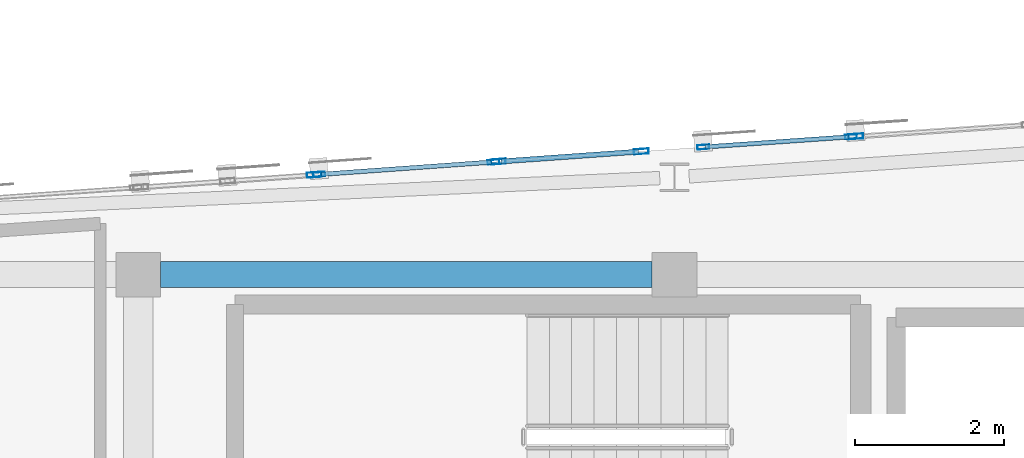
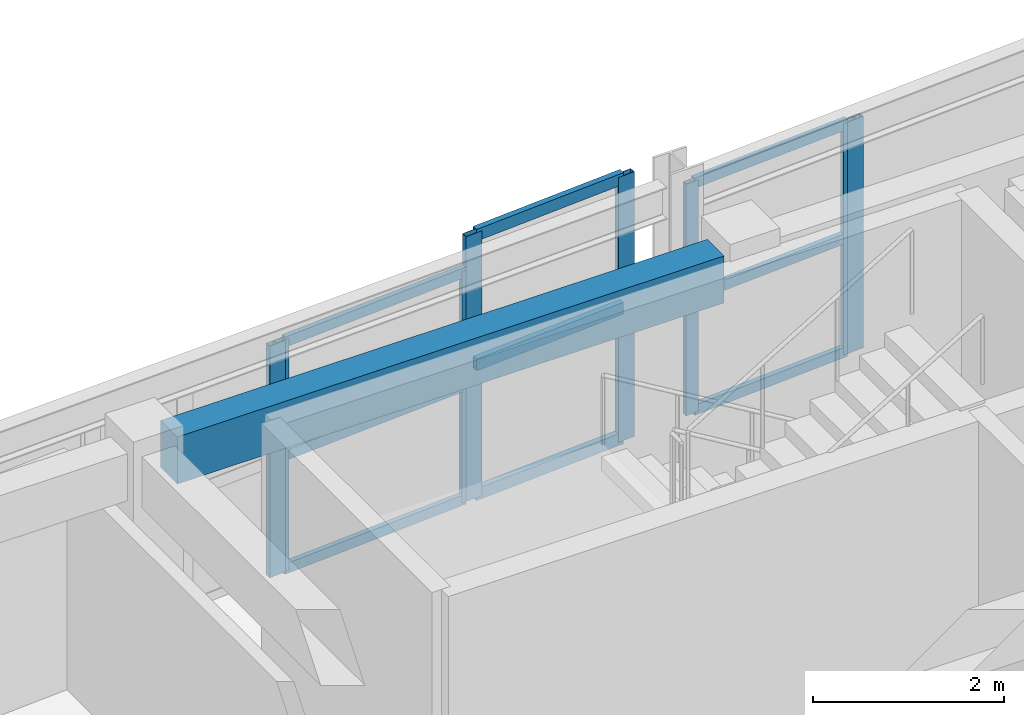
# One storey, part 8 of 41: 17 members, 1 beam, 5 elements without a shape of their own.
"""IFC4 building model written with IfcOpenShell, lengths in metres."""

from ifc_helpers import new_model, si_unit, direction, frame, origin, origin_2d, place, context, subcontext, project, spatial, rectangle, hollow_rectangle, extrude, material, layer, layer_set, material_profile, profile_set, type_object, element, aggregate, save


model = new_model("IFC4")

# Units and contexts
model_context = context("Model", 3, precision=1e-05, world=origin(), true_north=direction((0.0, 1.0)))
body_context = subcontext(model_context, "Body", "Model", "MODEL_VIEW")
ifc_project = project(units=[si_unit("LENGTHUNIT", "METRE"), si_unit("AREAUNIT", "SQUARE_METRE"), si_unit("VOLUMEUNIT", "CUBIC_METRE"), si_unit("PLANEANGLEUNIT", "RADIAN"), si_unit("MASSUNIT", "GRAM", prefix="KILO")], contexts=[model_context])

# Site, building, storey
site_placement = place(None, origin())
site = spatial("IfcSite", under=ifc_project, at=site_placement, CompositionType="ELEMENT")
building_placement = place(site_placement, origin())
building = spatial("IfcBuilding", under=site, at=building_placement, Name="Carrowvane Square Congress Hotel", CompositionType="ELEMENT")
storey_placement = place(building_placement, frame((0.0, 0.0, 37.199951171875)))
storey = spatial("IfcBuildingStorey", under=building, at=storey_placement, Name="L09", CompositionType="ELEMENT", Elevation=37.199951171875)

# Beam
ifc_material_1 = material(Name="Concrete C35/45", Category="concrete")
ifc_material_profile_1 = material_profile(ifc_material_1, rectangle(XDim=0.35009765625, YDim=0.60009765625, at=origin_2d()), Name="RC 350x600")
ifc_profile_set_1 = profile_set([ifc_material_profile_1], Name="Concrete C35/45")
beam_type = type_object("IfcBeamType", Name="BM-RC-350x600", PredefinedType="BEAM", material=ifc_profile_set_1)
beam_placement = place(storey_placement, frame((55.10009765625, 113.39990234375, 3.080078125), z_axis=(1.0, 0.0, 0.0), x_axis=(0.0, 1.0, 0.0)))
element("IfcBeam", 1, at=beam_placement, inside=storey, type_object=beam_type, Name="L10 girder R/7-8", PredefinedType="BEAM", context=body_context, shape_type="SweptSolid", body=[
    extrude(rectangle(XDim=0.35009765625, YDim=0.60009765625, at=origin_2d()), origin(), (0.0, 0.0, 1.0), 6.599853515625),
])

# Curtain wall, members
ifc_material_2 = material(Name="Anodised aluminium", Category="aluminium")
ifc_layer_1 = layer(ifc_material_2, 0.18603515625)
ifc_layer_set_1 = layer_set([ifc_layer_1], Name="Anodised aluminium")
curtain_wall_type_1 = type_object("IfcCurtainWallType", Name="CW-SYS-3", PredefinedType="NOTDEFINED", material=ifc_layer_set_1)
curtain_wall_1_placement = place(storey_placement, origin())
curtain_wall_1 = element("IfcCurtainWall", 2, at=curtain_wall_1_placement, inside=storey, type_object=curtain_wall_type_1, Name="L09 unitised curtain wall 514", PredefinedType="NOTDEFINED")
ifc_material_3 = material(Name="Anodised aluminium", Category="aluminium")
ifc_material_profile_2 = material_profile(ifc_material_3, hollow_rectangle(XDim=0.06005859375, YDim=0.159912109375, WallThickness=0.00390625, at=origin_2d()), Name="CW-ML 60x160x4")
ifc_profile_set_2 = profile_set([ifc_material_profile_2], Name="Anodised aluminium")
member_type_1 = type_object("IfcMemberType", Name="CW-MUL-1", PredefinedType="MULLION", material=ifc_profile_set_2)
member_1_placement = place(storey_placement, frame((57.22998046875, 114.745361328125, 0.0), z_axis=(0.0, 0.0, 1.0), x_axis=(-0.071531759512, 0.997438322595, 0.0)))
member_1 = element("IfcMember", 3, at=member_1_placement, type_object=member_type_1, Name="CW-3 mullion 1", PredefinedType="MULLION", context=body_context, shape_type="SweptSolid", body=[
    extrude(hollow_rectangle(XDim=0.06005859375, YDim=0.159912109375, WallThickness=0.00390625, at=origin_2d()), origin(), (0.0, 0.0, 1.0), 2.95556640625),
])
member_2_placement = place(storey_placement, frame((59.570068359375, 114.9130859375, 0.0), z_axis=(0.0, 0.0, 1.0), x_axis=(-0.071531759512, 0.997438322595, 0.0)))
member_2 = element("IfcMember", 4, at=member_2_placement, type_object=member_type_1, Name="CW-3 mullion 2", PredefinedType="MULLION", context=body_context, shape_type="SweptSolid", body=[
    extrude(hollow_rectangle(XDim=0.06005859375, YDim=0.159912109375, WallThickness=0.00390625, at=origin_2d()), origin(), (0.0, 0.0, 1.0), 2.95556640625),
])

ifc_material_4 = material(Name="Anodised aluminium", Category="aluminium")
ifc_layer_2 = layer(ifc_material_4, 0.2099609375)
ifc_layer_set_2 = layer_set([ifc_layer_2], Name="Anodised aluminium")
curtain_wall_type_2 = type_object("IfcCurtainWallType", Name="CW-SYS-5", PredefinedType="NOTDEFINED", material=ifc_layer_set_2)
curtain_wall_2_placement = place(storey_placement, origin())
curtain_wall_2 = element("IfcCurtainWall", 5, at=curtain_wall_2_placement, inside=storey, type_object=curtain_wall_type_2, Name="L09 unitised curtain wall 516", PredefinedType="NOTDEFINED")
member_3_placement = place(storey_placement, frame((62.38720703125, 115.113037109375, 0.0), z_axis=(0.0, 0.0, 1.0), x_axis=(-0.069723822092, 0.997566332949, 0.0)))
member_3 = element("IfcMember", 6, at=member_3_placement, type_object=member_type_1, Name="CW-5 mullion 1", PredefinedType="MULLION", context=body_context, shape_type="SweptSolid", body=[
    extrude(hollow_rectangle(XDim=0.06005859375, YDim=0.159912109375, WallThickness=0.00390625, at=origin_2d()), origin(), (0.0, 0.0, 1.0), 2.95556640625),
])
member_4_placement = place(storey_placement, frame((64.3701171875, 115.251708984375, 0.0), z_axis=(0.0, 0.0, 1.0), x_axis=(-0.069723822092, 0.997566332949, 0.0)))
member_4 = element("IfcMember", 7, at=member_4_placement, type_object=member_type_1, Name="CW-5 mullion 2", PredefinedType="MULLION", context=body_context, shape_type="SweptSolid", body=[
    extrude(hollow_rectangle(XDim=0.06005859375, YDim=0.159912109375, WallThickness=0.00390625, at=origin_2d()), origin(), (0.0, 0.0, 1.0), 2.95556640625),
])

# Curtain wall, member
ifc_material_5 = material(Name="Anodised aluminium", Category="aluminium")
ifc_layer_3 = layer(ifc_material_5, 0.174072265625)
ifc_layer_set_3 = layer_set([ifc_layer_3], Name="Anodised aluminium")
curtain_wall_type_3 = type_object("IfcCurtainWallType", Name="CW-SYS-2", PredefinedType="NOTDEFINED", material=ifc_layer_set_3)
curtain_wall_3_placement = place(storey_placement, origin())
curtain_wall_3 = element("IfcCurtainWall", 8, at=curtain_wall_3_placement, inside=storey, type_object=curtain_wall_type_3, Name="L09 unitised curtain wall 513", PredefinedType="NOTDEFINED")
ifc_material_6 = material(Name="Anodised aluminium", Category="aluminium")
ifc_material_profile_3 = material_profile(ifc_material_6, hollow_rectangle(XDim=0.070068359375, YDim=0.199951171875, WallThickness=0.0048828125, at=origin_2d()), Name="CW-ML 70x200x5")
ifc_profile_set_3 = profile_set([ifc_material_profile_3], Name="Anodised aluminium")
member_type_2 = type_object("IfcMemberType", Name="CW-MUL-2", PredefinedType="MULLION", material=ifc_profile_set_3)
member_5_placement = place(storey_placement, frame((57.1650390625, 114.74072265625, 0.0), z_axis=(0.0, 0.0, 1.0), x_axis=(-0.071418356042, 0.997446448898, 0.0)))
member_5 = element("IfcMember", 9, at=member_5_placement, type_object=member_type_2, Name="CW-2 mullion 3", PredefinedType="MULLION", context=body_context, shape_type="SweptSolid", body=[
    extrude(hollow_rectangle(XDim=0.070068359375, YDim=0.199951171875, WallThickness=0.0048828125, at=origin_2d()), origin(), (0.0, 0.0, 1.0), 2.95556640625),
])
aggregate(curtain_wall_3, [member_5])

# Curtain wall, members
ifc_material_7 = material(Name="Anodised aluminium", Category="aluminium")
ifc_layer_4 = layer(ifc_material_7, 0.197998046875)
ifc_layer_set_4 = layer_set([ifc_layer_4], Name="Anodised aluminium")
curtain_wall_type_4 = type_object("IfcCurtainWallType", Name="CW-SYS-4", PredefinedType="NOTDEFINED", material=ifc_layer_set_4)
curtain_wall_4_placement = place(storey_placement, origin())
curtain_wall_4 = element("IfcCurtainWall", 10, at=curtain_wall_4_placement, inside=storey, type_object=curtain_wall_type_4, Name="L09 unitised curtain wall 515", PredefinedType="NOTDEFINED")
member_6_placement = place(storey_placement, frame((59.635009765625, 114.917724609375, 0.0), z_axis=(0.0, 0.0, 1.0), x_axis=(-0.070960217342, 0.997479146426, 0.0)))
member_6 = element("IfcMember", 11, at=member_6_placement, type_object=member_type_2, Name="CW-4 mullion 1", PredefinedType="MULLION", context=body_context, shape_type="SweptSolid", body=[
    extrude(hollow_rectangle(XDim=0.070068359375, YDim=0.199951171875, WallThickness=0.0048828125, at=origin_2d()), origin(), (0.0, 0.0, 1.0), 3.380126953125),
])
member_7_placement = place(storey_placement, frame((61.554443359375, 115.05419921875, 0.0), z_axis=(0.0, 0.0, 1.0), x_axis=(-0.070960217342, 0.997479146426, 0.0)))
member_7 = element("IfcMember", 12, at=member_7_placement, type_object=member_type_2, Name="CW-4 mullion 2", PredefinedType="MULLION", context=body_context, shape_type="SweptSolid", body=[
    extrude(hollow_rectangle(XDim=0.070068359375, YDim=0.199951171875, WallThickness=0.0048828125, at=origin_2d()), origin(), (0.0, 0.0, 1.0), 3.380126953125),
])

# Curtain wall, member
ifc_material_8 = material(Name="Anodised aluminium", Category="aluminium")
ifc_layer_5 = layer(ifc_material_8, 0.221923828125)
ifc_layer_set_5 = layer_set([ifc_layer_5], Name="Anodised aluminium")
curtain_wall_type_5 = type_object("IfcCurtainWallType", Name="CW-SYS-6", PredefinedType="NOTDEFINED", material=ifc_layer_set_5)
curtain_wall_5_placement = place(storey_placement, origin())
curtain_wall_5 = element("IfcCurtainWall", 13, at=curtain_wall_5_placement, inside=storey, type_object=curtain_wall_type_5, Name="L09 unitised curtain wall 517", PredefinedType="NOTDEFINED")
member_8_placement = place(storey_placement, frame((64.434814453125, 115.256103515625, 0.0), z_axis=(0.0, 0.0, 1.0), x_axis=(-0.067865424104, 0.997694484404, 0.0)))
member_8 = element("IfcMember", 14, at=member_8_placement, type_object=member_type_2, Name="CW-6 mullion 1", PredefinedType="MULLION", context=body_context, shape_type="SweptSolid", body=[
    extrude(hollow_rectangle(XDim=0.070068359375, YDim=0.199951171875, WallThickness=0.0048828125, at=origin_2d()), origin(), (0.0, 0.0, 1.0), 2.95556640625),
])
aggregate(curtain_wall_5, [member_8])

# Member
ifc_material_9 = material(Name="Anodised aluminium", Category="aluminium")
ifc_material_profile_4 = material_profile(ifc_material_9, hollow_rectangle(XDim=0.06005859375, YDim=0.1298828125, WallThickness=0.00390625, at=origin_2d()), Name="CW-TR 60x130x4")
ifc_profile_set_4 = profile_set([ifc_material_profile_4], Name="Anodised aluminium")
member_type_3 = type_object("IfcMemberType", Name="CW-TRN-1", PredefinedType="USERDEFINED", material=ifc_profile_set_4)
member_9_placement = place(storey_placement, frame((57.259765625, 114.747314453125, 0.030029296875), z_axis=(0.997437516621, 0.071542997124, 0.0), x_axis=(-0.071542997124, 0.997437516621, 0.0)))
member_9 = element("IfcMember", 15, at=member_9_placement, type_object=member_type_3, Name="CW-3 transom 1.1", ObjectType="TRANSOM", PredefinedType="USERDEFINED", context=body_context, shape_type="SweptSolid", body=[
    extrude(hollow_rectangle(XDim=0.06005859375, YDim=0.1298828125, WallThickness=0.00390625, at=origin_2d()), origin(), (0.0, 0.0, 1.0), 2.286376953125),
])

member_10_placement = place(storey_placement, frame((57.259765625, 114.747314453125, 1.477783203125), z_axis=(0.997437516621, 0.071542997124, 0.0), x_axis=(-0.071542997124, 0.997437516621, 0.0)))
member_10 = element("IfcMember", 16, at=member_10_placement, type_object=member_type_3, Name="CW-3 transom 1.2", ObjectType="TRANSOM", PredefinedType="USERDEFINED", context=body_context, shape_type="SweptSolid", body=[
    extrude(hollow_rectangle(XDim=0.06005859375, YDim=0.1298828125, WallThickness=0.00390625, at=origin_2d()), origin(), (0.0, 0.0, 1.0), 2.286376953125),
])

member_11_placement = place(storey_placement, frame((57.259765625, 114.747314453125, 2.925537109375), z_axis=(0.997437516621, 0.071542997124, 0.0), x_axis=(-0.071542997124, 0.997437516621, 0.0)))
member_11 = element("IfcMember", 17, at=member_11_placement, type_object=member_type_3, Name="CW-3 transom 1.3", ObjectType="TRANSOM", PredefinedType="USERDEFINED", context=body_context, shape_type="SweptSolid", body=[
    extrude(hollow_rectangle(XDim=0.06005859375, YDim=0.1298828125, WallThickness=0.00390625, at=origin_2d()), origin(), (0.0, 0.0, 1.0), 2.286376953125),
])

aggregate(curtain_wall_1, [member_1, member_2, member_9, member_10, member_11])

member_12_placement = place(storey_placement, frame((62.4169921875, 115.115234375, 0.030029296875), z_axis=(0.997571214092, 0.069653950457, 0.0), x_axis=(-0.069653950457, 0.997571214092, 0.0)))
member_12 = element("IfcMember", 18, at=member_12_placement, type_object=member_type_3, Name="CW-5 transom 1.1", ObjectType="TRANSOM", PredefinedType="USERDEFINED", context=body_context, shape_type="SweptSolid", body=[
    extrude(hollow_rectangle(XDim=0.06005859375, YDim=0.1298828125, WallThickness=0.00390625, at=origin_2d()), origin(), (0.0, 0.0, 1.0), 1.927734375),
])

member_13_placement = place(storey_placement, frame((62.4169921875, 115.115234375, 1.477783203125), z_axis=(0.997571214092, 0.069653950457, 0.0), x_axis=(-0.069653950457, 0.997571214092, 0.0)))
member_13 = element("IfcMember", 19, at=member_13_placement, type_object=member_type_3, Name="CW-5 transom 1.2", ObjectType="TRANSOM", PredefinedType="USERDEFINED", context=body_context, shape_type="SweptSolid", body=[
    extrude(hollow_rectangle(XDim=0.06005859375, YDim=0.1298828125, WallThickness=0.00390625, at=origin_2d()), origin(), (0.0, 0.0, 1.0), 1.927734375),
])

member_14_placement = place(storey_placement, frame((62.4169921875, 115.115234375, 2.925537109375), z_axis=(0.997571214092, 0.069653950457, 0.0), x_axis=(-0.069653950457, 0.997571214092, 0.0)))
member_14 = element("IfcMember", 20, at=member_14_placement, type_object=member_type_3, Name="CW-5 transom 1.3", ObjectType="TRANSOM", PredefinedType="USERDEFINED", context=body_context, shape_type="SweptSolid", body=[
    extrude(hollow_rectangle(XDim=0.06005859375, YDim=0.1298828125, WallThickness=0.00390625, at=origin_2d()), origin(), (0.0, 0.0, 1.0), 1.927734375),
])

aggregate(curtain_wall_2, [member_3, member_4, member_12, member_13, member_14])

ifc_material_10 = material(Name="Anodised aluminium", Category="aluminium")
ifc_material_profile_5 = material_profile(ifc_material_10, hollow_rectangle(XDim=0.070068359375, YDim=0.14990234375, WallThickness=0.0048828125, at=origin_2d()), Name="CW-TR 70x150x5")
ifc_profile_set_5 = profile_set([ifc_material_profile_5], Name="Anodised aluminium")
member_type_4 = type_object("IfcMemberType", Name="CW-TRN-2", PredefinedType="USERDEFINED", material=ifc_profile_set_5)
member_15_placement = place(storey_placement, frame((59.669921875, 114.920166015625, 0.03515625), z_axis=(0.997478710533, 0.070966344374, 0.0), x_axis=(-0.070966344374, 0.997478710533, 0.0)))
member_15 = element("IfcMember", 21, at=member_15_placement, type_object=member_type_4, Name="CW-4 transom 1.1", ObjectType="TRANSOM", PredefinedType="USERDEFINED", context=body_context, shape_type="SweptSolid", body=[
    extrude(hollow_rectangle(XDim=0.070068359375, YDim=0.14990234375, WallThickness=0.0048828125, at=origin_2d()), origin(), (0.0, 0.0, 1.0), 1.854248046875),
])

member_16_placement = place(storey_placement, frame((59.669921875, 114.920166015625, 1.68994140625), z_axis=(0.997478710533, 0.070966344374, 0.0), x_axis=(-0.070966344374, 0.997478710533, 0.0)))
member_16 = element("IfcMember", 22, at=member_16_placement, type_object=member_type_4, Name="CW-4 transom 1.2", ObjectType="TRANSOM", PredefinedType="USERDEFINED", context=body_context, shape_type="SweptSolid", body=[
    extrude(hollow_rectangle(XDim=0.070068359375, YDim=0.14990234375, WallThickness=0.0048828125, at=origin_2d()), origin(), (0.0, 0.0, 1.0), 1.854248046875),
])

member_17_placement = place(storey_placement, frame((59.669921875, 114.920166015625, 3.344970703125), z_axis=(0.997478710533, 0.070966344374, 0.0), x_axis=(-0.070966344374, 0.997478710533, 0.0)))
member_17 = element("IfcMember", 23, at=member_17_placement, type_object=member_type_4, Name="CW-4 transom 1.3", ObjectType="TRANSOM", PredefinedType="USERDEFINED", context=body_context, shape_type="SweptSolid", body=[
    extrude(hollow_rectangle(XDim=0.070068359375, YDim=0.14990234375, WallThickness=0.0048828125, at=origin_2d()), origin(), (0.0, 0.0, 1.0), 1.854248046875),
])

aggregate(curtain_wall_4, [member_6, member_7, member_15, member_16, member_17])

save(model, "model.ifc")
